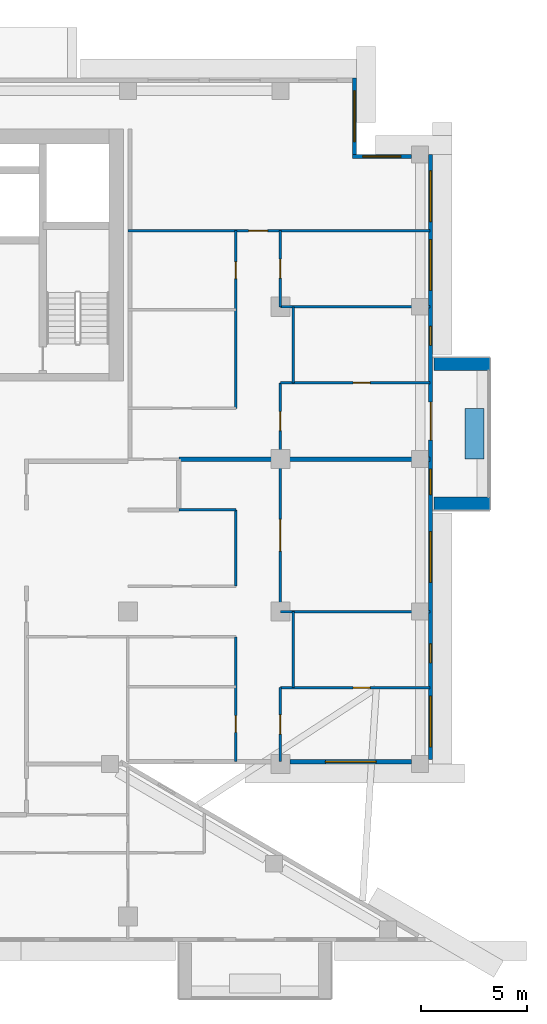
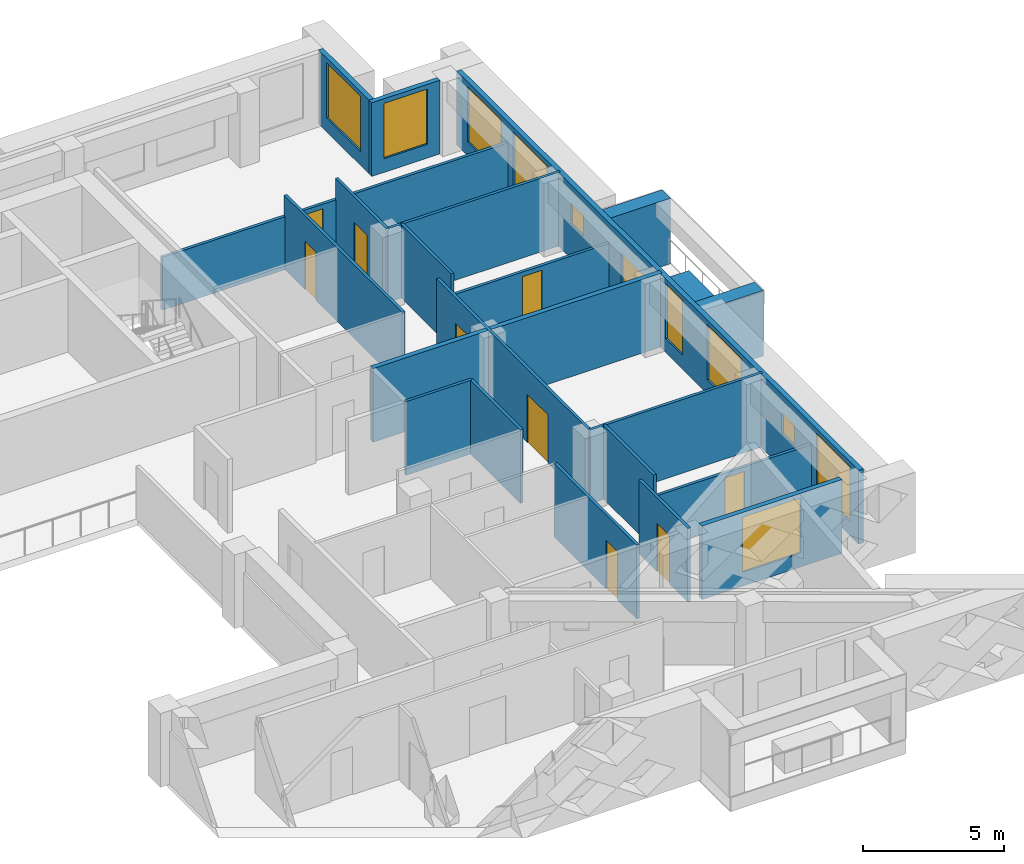
# One storey, part 12 of 20: 22 walls, 10 doors, 10 windows, 20 openings.
"""IFC4 building model written with IfcOpenShell, lengths in metres."""

import ifcopenshell
import ifcopenshell.guid

model = None  # the IFC model being written
_history = None  # IfcOwnerHistory: only IFC2X3 demands one
_inside = {}  # id of a spatial element -> (the spatial element, [elements in it])
_under = {}  # id of a project, library or spatial element -> (it, [spatial elements below it])
_declared = {}  # id of a project -> (the project, [libraries it declares])
_typed = {}  # id of a type object -> (the type object, [elements of that type])
_made_of = {}  # id of a material, layer set ... -> (it, [elements and type objects made of it])


def new_model(schema):
    """Start an empty IFC model of exactly this schema.

    Asked for "IFC4X3", IfcOpenShell would pick the latest addendum, in which some entities
    have other attributes; the version numbers below select the first issue.
    IFC2X3 requires an IfcOwnerHistory on every rooted entity: one is made here for all.
    """
    global model, _history
    if schema == "IFC4X3":
        model = ifcopenshell.file(schema_version=(4, 3, 0, 0))
    else:
        model = ifcopenshell.file(schema=schema)
    _inside.clear()
    _under.clear()
    _declared.clear()
    _typed.clear()
    _made_of.clear()
    _history = None
    if model.schema == "IFC2X3":
        org = make("IfcOrganization", Name="unknown")
        user = make(
            "IfcPersonAndOrganization",
            ThePerson=make("IfcPerson", FamilyName="unknown"),
            TheOrganization=org,
        )
        app = make(
            "IfcApplication",
            ApplicationDeveloper=org,
            Version="unknown",
            ApplicationFullName="unknown",
            ApplicationIdentifier="unknown",
        )
        _history = make(
            "IfcOwnerHistory",
            OwningUser=user,
            OwningApplication=app,
            ChangeAction="ADDED",
            CreationDate=0,
        )
    return model


def make(cls, **values):
    """One entity of the class cls with the attributes given. An attribute that is None is left unset."""
    return model.create_entity(
        cls, **{name: value for name, value in values.items() if value is not None}
    )


def rooted(cls, **values):
    """An entity with a GlobalId (a new one), such as an element, a storey or a relation."""
    return make(cls, GlobalId=ifcopenshell.guid.new(), OwnerHistory=_history, **values)


def si_unit(unit_type, name, prefix=None):
    """IfcSIUnit, for example si_unit("LENGTHUNIT", "METRE", prefix="MILLI")."""
    return make("IfcSIUnit", UnitType=unit_type, Prefix=prefix, Name=name)


def assignment(units):
    """IfcUnitAssignment: the units of a project."""
    return None if units is None else make("IfcUnitAssignment", Units=units)


def point(xyz):
    """IfcCartesianPoint."""
    return None if xyz is None else make("IfcCartesianPoint", Coordinates=xyz)


def direction(xyz):
    """IfcDirection."""
    return None if xyz is None else make("IfcDirection", DirectionRatios=xyz)


def frame(location, z_axis=None, x_axis=None):
    """IfcAxis2Placement3D, a coordinate frame: its origin and axes. An axis left out is left unset."""
    return make(
        "IfcAxis2Placement3D",
        Location=point(location),
        Axis=direction(z_axis),
        RefDirection=direction(x_axis),
    )


def frame_2d(location, x_axis=None):
    """IfcAxis2Placement2D, a coordinate frame in the plane: its origin and x axis."""
    return make(
        "IfcAxis2Placement2D", Location=point(location), RefDirection=direction(x_axis)
    )


def origin():
    """The frame at (0, 0, 0) with its axes left unset."""
    return frame((0.0, 0.0, 0.0))


def place(relative_to, where):
    """IfcLocalPlacement: puts the frame where relative to a parent placement (None: the world)."""
    return make(
        "IfcLocalPlacement", PlacementRelTo=relative_to, RelativePlacement=where
    )


def context(
    kind, dimensions, precision=None, world=None, true_north=None, identifier=None
):
    """IfcGeometricRepresentationContext, for example the 3D "Model" context."""
    return make(
        "IfcGeometricRepresentationContext",
        ContextIdentifier=identifier,
        ContextType=kind,
        CoordinateSpaceDimension=dimensions,
        Precision=precision,
        WorldCoordinateSystem=world,
        TrueNorth=true_north,
    )


def subcontext(parent, identifier, kind, view, scale=None):
    """IfcGeometricRepresentationSubContext, for example "Body" below "Model"."""
    return make(
        "IfcGeometricRepresentationSubContext",
        ContextIdentifier=identifier,
        ContextType=kind,
        ParentContext=parent,
        TargetScale=scale,
        TargetView=view,
    )


def project(units=None, contexts=None):
    """IfcProject with its units and contexts."""
    return rooted(
        "IfcProject",
        Name="project",
        RepresentationContexts=contexts,
        UnitsInContext=assignment(units),
    )


def spatial(cls, under=None, at=None, **own):
    """A site, building, storey or space (cls), placed at a placement, below another one or the project."""
    s = rooted(cls, ObjectPlacement=at, **own)
    if under is not None:
        _under.setdefault(under.id(), (under, []))[1].append(s)
    return s


def profile(cls, at=None, kind="AREA", **sizes):
    """A parametric profile (cls). Its sizes go by their IFC names, for example OverallWidth=200.0."""
    return make(cls, ProfileType=kind, Position=at, **sizes)


def rectangle(**sizes):
    """IfcRectangleProfileDef."""
    return profile("IfcRectangleProfileDef", **sizes)


def extrude(swept, where, along, depth):
    """IfcExtrudedAreaSolid: the profile swept, set in the frame where, extruded along a direction by depth."""
    return make(
        "IfcExtrudedAreaSolid",
        SweptArea=swept,
        Position=where,
        ExtrudedDirection=direction(along),
        Depth=depth,
    )


def shape(context_of_items, identifier, shape_type, items):
    """IfcShapeRepresentation: the items that make up one representation, for example the "Body"."""
    return make(
        "IfcShapeRepresentation",
        ContextOfItems=context_of_items,
        RepresentationIdentifier=identifier,
        RepresentationType=shape_type,
        Items=items,
    )


def material(Name=None, Category=None):
    """IfcMaterial."""
    return make("IfcMaterial", Name=Name, Category=Category)


def layer(
    of_material, thickness, ventilated=None, Name=None, Category=None, Priority=None
):
    """IfcMaterialLayer: one layer of a wall or slab, of a material (None: an air gap)."""
    return make(
        "IfcMaterialLayer",
        Material=of_material,
        LayerThickness=thickness,
        IsVentilated=ventilated,
        Name=Name,
        Category=Category,
        Priority=Priority,
    )


def layer_set(layers, Name=None):
    """IfcMaterialLayerSet."""
    return make("IfcMaterialLayerSet", MaterialLayers=layers, LayerSetName=Name)


def made_of(thing, what):
    """Note that an element or type object is made of a material, layer set ...; save() writes the relation."""
    if what is not None:
        _made_of.setdefault(what.id(), (what, []))[1].append(thing)
    return thing


def type_object(cls, material=None, **own):
    """A type object (cls), such as IfcWallType, which elements share."""
    return made_of(rooted(cls, **own), material)


def element(
    cls,
    number,
    at=None,
    inside=None,
    cuts=None,
    type_object=None,
    material=None,
    context=None,
    identifier="Body",
    shape_type=None,
    held_by="IfcProductDefinitionShape",
    body=None,
    shapes=None,
    **own,
):
    """One element of the class cls, such as IfcWall. Its Tag is "e" and its number.

    at: its placement. inside: the storey or other place that contains it. cuts: it is an
    opening in that element (IfcRelVoidsElement). A single representation is given by context,
    identifier, shape_type and body (its items); several are given by shapes. held_by: the class
    of the entity that holds the representations. save() writes the other relations.
    """
    e = rooted(cls, Tag="e%d" % number, ObjectPlacement=at, **own)
    if body is not None:
        shapes = [shape(context, identifier, shape_type, body)]
    if shapes is not None:
        e.Representation = make(held_by, Representations=shapes)
    if inside is not None:
        _inside.setdefault(inside.id(), (inside, []))[1].append(e)
    if cuts is not None:
        rooted(
            "IfcRelVoidsElement", RelatingBuildingElement=cuts, RelatedOpeningElement=e
        )
    if type_object is not None:
        _typed.setdefault(type_object.id(), (type_object, []))[1].append(e)
    return made_of(e, material)


def fill(opening, filler):
    """IfcRelFillsElement: the door or window that sits in an opening."""
    return rooted(
        "IfcRelFillsElement",
        RelatingOpeningElement=opening,
        RelatedBuildingElement=filler,
    )


def aggregate(whole, parts):
    """IfcRelAggregates: a whole, such as a stair, and the parts it consists of."""
    return rooted("IfcRelAggregates", RelatingObject=whole, RelatedObjects=parts)


def save(model, path):
    """Write the relations noted so far, then the file.

    IfcRelAggregates (storeys below a building ...), IfcRelContainedInSpatialStructure (elements
    in a storey), IfcRelDefinesByType, IfcRelAssociatesMaterial and IfcRelDeclares: one each for
    every whole, place, type object, material and project.
    """
    for whole, parts in _under.values():
        aggregate(whole, parts)
    for where, things in _inside.values():
        rooted(
            "IfcRelContainedInSpatialStructure",
            RelatedElements=things,
            RelatingStructure=where,
        )
    for kind, things in _typed.values():
        rooted("IfcRelDefinesByType", RelatedObjects=things, RelatingType=kind)
    for what, things in _made_of.values():
        rooted("IfcRelAssociatesMaterial", RelatedObjects=things, RelatingMaterial=what)
    for by, libraries in _declared.values():
        rooted("IfcRelDeclares", RelatingContext=by, RelatedDefinitions=libraries)
    model.write(path)


model = new_model("IFC4")

# Units and contexts
model_context = context("Model", 3, precision=1e-05, world=origin(), true_north=direction((0.0, 1.0)))
body_context = subcontext(model_context, "Body", "Model", "MODEL_VIEW")
ifc_project = project(units=[si_unit("LENGTHUNIT", "METRE"), si_unit("AREAUNIT", "SQUARE_METRE"), si_unit("VOLUMEUNIT", "CUBIC_METRE"), si_unit("PLANEANGLEUNIT", "RADIAN"), si_unit("MASSUNIT", "GRAM", prefix="KILO")], contexts=[model_context])

# Site, building, storey
site_placement = place(None, origin())
site = spatial("IfcSite", under=ifc_project, at=site_placement, CompositionType="ELEMENT")
building_placement = place(site_placement, origin())
building = spatial("IfcBuilding", under=site, at=building_placement, Name="Saffron Iwan Residences", CompositionType="ELEMENT")
storey_placement = place(building_placement, frame((0.0, 0.0, 195.5)))
storey = spatial("IfcBuildingStorey", under=building, at=storey_placement, Name="L52", CompositionType="ELEMENT", Elevation=195.5)

# Walls
ifc_material_1 = material(Name="Concrete C50/60 white painted", Category="concrete")
ifc_layer_1 = layer(ifc_material_1, 0.60009765625)
ifc_layer_set_1 = layer_set([ifc_layer_1], Name="Concrete C50/60 white painted")
wall_type_1 = type_object("IfcWallType", Name="BALCONY FIN 600", PredefinedType="SOLIDWALL", material=ifc_layer_set_1)
for number, where, z_axis, x_axis, name in (
    (1, (86.449951171875, 60.300048828125, 0.0), (0.0, 0.0, 1.0), (1.0, 0.0, 0.0), "Balcony fin L52 F2-0a"),
    (2, (86.449951171875, 66.89990234375, 0.0), (0.0, 0.0, 1.0), (1.0, 0.0, 0.0), "Balcony fin L52 F2-0b"),
):
    element("IfcWall", number, at=place(storey_placement, frame(where, z_axis=z_axis, x_axis=x_axis)), inside=storey, type_object=wall_type_1, Name=name, PredefinedType="SOLIDWALL", context=body_context, shape_type="SweptSolid", body=[
        extrude(rectangle(XDim=2.650146484375, YDim=0.60009765625, at=frame_2d((1.3251953125, 0.0))), origin(), (0.0, 0.0, 1.0), 2.85009765625),
    ])
ifc_material_2 = material(Name="Concrete C35/45 white painted", Category="concrete")
ifc_layer_2 = layer(ifc_material_2, 0.14990234375)
ifc_layer_set_2 = layer_set([ifc_layer_2], Name="Concrete C35/45 white painted")
wall_type_2 = type_object("IfcWallType", Name="BALCONY PLANTER", PredefinedType="SOLIDWALL", material=ifc_layer_set_2)
wall_1_placement = place(storey_placement, frame((88.375, 62.39990234375, 0.0), z_axis=(0.0, 0.0, 1.0), x_axis=(0.0, 1.0, 0.0)))
element("IfcWall", 3, at=wall_1_placement, inside=storey, type_object=wall_type_2, Name="PLANTER L52 F2-0", PredefinedType="SOLIDWALL", context=body_context, shape_type="SweptSolid", body=[
    extrude(rectangle(XDim=2.400146484375, YDim=0.89990234375, at=frame_2d((1.2001953125, 0.0))), origin(), (0.0, 0.0, 1.0), 0.89990234375),
])

# Wall, opening, window
ifc_material_3 = material(Name="Concrete C40/50", Category="concrete")
ifc_layer_3 = layer(ifc_material_3, 0.199951171875)
ifc_layer_set_3 = layer_set([ifc_layer_3], Name="Concrete C40/50")
wall_type_3 = type_object("IfcWallType", Name="EXTERNAL WALL 200", PredefinedType="SOLIDWALL", material=ifc_layer_set_3)
wall_2_placement = place(storey_placement, frame((79.64990234375, 48.10009765625, 0.0), z_axis=(0.0, 0.0, 1.0), x_axis=(1.0, 0.0, 0.0)))
wall_2 = element("IfcWall", 4, at=wall_2_placement, inside=storey, type_object=wall_type_3, Name="External wall L52 F1.1", PredefinedType="SOLIDWALL", context=body_context, shape_type="SweptSolid", body=[
    extrude(rectangle(XDim=5.75, YDim=0.199951171875, at=frame_2d((2.875, 0.0))), origin(), (0.0, 0.0, 1.0), 3.199951171875),
])
opening_1_placement = place(wall_2_placement, frame((1.675048828125, 0.0, 0.60009765625)))
opening_1 = element("IfcOpeningElement", 5, at=opening_1_placement, cuts=wall_2, Name="Opening W1", PredefinedType="OPENING", context=body_context, shape_type="SweptSolid", body=[
    extrude(rectangle(XDim=2.39990234375, YDim=2.39990234375, at=frame_2d((1.199951171875, 1.199951171875))), frame((0.0, 0.10986328125, 0.0), z_axis=(0.0, -1.0, 0.0), x_axis=(1.0, 0.0, 0.0)), (0.0, 0.0, 1.0), 0.219970703125),
])
ifc_material_4 = material(Name="Clear glass, laminated double glazed", Category="glass")
window_type_1 = type_object("IfcWindowType", Name="WINDOW 2400 x 2400", PartitioningType="DOUBLE_PANEL_VERTICAL", PredefinedType="WINDOW", material=ifc_material_4)
window_1_placement = place(opening_1_placement, origin())
window_1 = element("IfcWindow", 6, at=window_1_placement, inside=storey, type_object=window_type_1, Name="Window L52 F1.0", OverallHeight=2.39990234375, OverallWidth=2.39990234375, PartitioningType="DOUBLE_PANEL_VERTICAL", PredefinedType="WINDOW", context=body_context, shape_type="SweptSolid", body=[
    extrude(rectangle(XDim=2.39990234375, YDim=2.39990234375, at=frame_2d((1.199951171875, 1.199951171875))), frame((0.0, 0.030029296875, 0.0), z_axis=(0.0, -1.0, 0.0), x_axis=(1.0, 0.0, 0.0)), (0.0, 0.0, 1.0), 0.06005859375),
])
fill(opening_1, window_1)

# Wall, openings, door, windows
wall_3_placement = place(storey_placement, frame((86.300048828125, 48.199951171875, 0.0), z_axis=(0.0, 0.0, 1.0), x_axis=(0.0, 1.0, 0.0)))
wall_3 = element("IfcWall", 7, at=wall_3_placement, inside=storey, type_object=wall_type_3, Name="External wall L52 F2.0", PredefinedType="SOLIDWALL", context=body_context, shape_type="SweptSolid", body=[
    extrude(rectangle(XDim=28.60009765625, YDim=0.199951171875, at=frame_2d((14.300048828125, 0.0))), origin(), (0.0, 0.0, 1.0), 3.199951171875),
])
opening_2_placement = place(wall_3_placement, frame((15.10009765625, 0.0, 0.0)))
opening_2 = element("IfcOpeningElement", 8, at=opening_2_placement, cuts=wall_3, Name="Opening BD1", PredefinedType="OPENING", context=body_context, shape_type="SweptSolid", body=[
    extrude(rectangle(XDim=1.800048828125, YDim=2.39990234375, at=frame_2d((0.89990234375, 1.199951171875))), frame((0.0, 0.10986328125, 0.0), z_axis=(0.0, -1.0, 0.0), x_axis=(1.0, 0.0, 0.0)), (0.0, 0.0, 1.0), 0.219970703125),
])
opening_3_placement = place(wall_3_placement, frame((0.60009765625, 0.0, 0.60009765625)))
opening_3 = element("IfcOpeningElement", 9, at=opening_3_placement, cuts=wall_3, Name="Opening W1", PredefinedType="OPENING", context=body_context, shape_type="SweptSolid", body=[
    extrude(rectangle(XDim=2.39990234375, YDim=2.39990234375, at=frame_2d((1.199951171875, 1.199951171875))), frame((0.0, 0.10986328125, 0.0), z_axis=(0.0, -1.0, 0.0), x_axis=(1.0, 0.0, 0.0)), (0.0, 0.0, 1.0), 0.219970703125),
])
opening_4_placement = place(wall_3_placement, frame((4.574951171875, 0.0, 1.5)))
opening_4 = element("IfcOpeningElement", 10, at=opening_4_placement, cuts=wall_3, Name="Opening W6", PredefinedType="OPENING", context=body_context, shape_type="SweptSolid", body=[
    extrude(rectangle(XDim=0.89990234375, YDim=0.89990234375, at=frame_2d((0.449951171875, 0.449951171875))), frame((0.0, 0.10986328125, 0.0), z_axis=(0.0, -1.0, 0.0), x_axis=(1.0, 0.0, 0.0)), (0.0, 0.0, 1.0), 0.219970703125),
])
opening_5_placement = place(wall_3_placement, frame((8.375, 0.0, 0.60009765625)))
opening_5 = element("IfcOpeningElement", 11, at=opening_5_placement, cuts=wall_3, Name="Opening W1", PredefinedType="OPENING", context=body_context, shape_type="SweptSolid", body=[
    extrude(rectangle(XDim=2.39990234375, YDim=2.39990234375, at=frame_2d((1.199951171875, 1.199951171875))), frame((0.0, 0.10986328125, 0.0), z_axis=(0.0, -1.0, 0.0), x_axis=(1.0, 0.0, 0.0)), (0.0, 0.0, 1.0), 0.219970703125),
])
opening_6_placement = place(wall_3_placement, frame((12.52490234375, 0.0, 0.60009765625)))
opening_6 = element("IfcOpeningElement", 12, at=opening_6_placement, cuts=wall_3, Name="Opening W3", PredefinedType="OPENING", context=body_context, shape_type="SweptSolid", body=[
    extrude(rectangle(XDim=1.199951171875, YDim=2.39990234375, at=frame_2d((0.60009765625, 1.199951171875))), frame((0.0, 0.10986328125, 0.0), z_axis=(0.0, -1.0, 0.0), x_axis=(1.0, 0.0, 0.0)), (0.0, 0.0, 1.0), 0.219970703125),
])
opening_7_placement = place(wall_3_placement, frame((19.574951171875, 0.0, 1.5)))
opening_7 = element("IfcOpeningElement", 13, at=opening_7_placement, cuts=wall_3, Name="Opening W6", PredefinedType="OPENING", context=body_context, shape_type="SweptSolid", body=[
    extrude(rectangle(XDim=0.89990234375, YDim=0.89990234375, at=frame_2d((0.449951171875, 0.449951171875))), frame((0.0, 0.10986328125, 0.0), z_axis=(0.0, -1.0, 0.0), x_axis=(1.0, 0.0, 0.0)), (0.0, 0.0, 1.0), 0.219970703125),
])
opening_8_placement = place(wall_3_placement, frame((22.175048828125, 0.0, 0.60009765625)))
opening_8 = element("IfcOpeningElement", 14, at=opening_8_placement, cuts=wall_3, Name="Opening W1", PredefinedType="OPENING", context=body_context, shape_type="SweptSolid", body=[
    extrude(rectangle(XDim=2.39990234375, YDim=2.39990234375, at=frame_2d((1.199951171875, 1.199951171875))), frame((0.0, 0.10986328125, 0.0), z_axis=(0.0, -1.0, 0.0), x_axis=(1.0, 0.0, 0.0)), (0.0, 0.0, 1.0), 0.219970703125),
])
opening_9_placement = place(wall_3_placement, frame((25.425048828125, 0.0, 0.60009765625)))
opening_9 = element("IfcOpeningElement", 15, at=opening_9_placement, cuts=wall_3, Name="Opening W1", PredefinedType="OPENING", context=body_context, shape_type="SweptSolid", body=[
    extrude(rectangle(XDim=2.39990234375, YDim=2.39990234375, at=frame_2d((1.199951171875, 1.199951171875))), frame((0.0, 0.10986328125, 0.0), z_axis=(0.0, -1.0, 0.0), x_axis=(1.0, 0.0, 0.0)), (0.0, 0.0, 1.0), 0.219970703125),
])
door_type_1 = type_object("IfcDoorType", Name="BALCONY DOOR 1800 x 2400", OperationType="DOUBLE_DOOR_SLIDING", PredefinedType="DOOR", material=ifc_material_4)
door_1_placement = place(opening_2_placement, origin())
door_1 = element("IfcDoor", 16, at=door_1_placement, inside=storey, type_object=door_type_1, Name="Balcony door L52 F2.0", OperationType="DOUBLE_DOOR_SLIDING", OverallHeight=2.39990234375, OverallWidth=1.800048828125, PredefinedType="DOOR", context=body_context, shape_type="SweptSolid", body=[
    extrude(rectangle(XDim=1.800048828125, YDim=2.39990234375, at=frame_2d((0.89990234375, 1.199951171875))), frame((0.0, 0.02490234375, 0.0), z_axis=(0.0, -1.0, 0.0), x_axis=(1.0, 0.0, 0.0)), (0.0, 0.0, 1.0), 0.050048828125),
])
fill(opening_2, door_1)
window_type_2 = type_object("IfcWindowType", Name="WINDOW 1200 x 2400", PartitioningType="SINGLE_PANEL", PredefinedType="WINDOW", material=ifc_material_4)
window_2_placement = place(opening_6_placement, origin())
window_2 = element("IfcWindow", 17, at=window_2_placement, inside=storey, type_object=window_type_2, Name="Window L52 F2.4", OverallHeight=2.39990234375, OverallWidth=1.199951171875, PartitioningType="SINGLE_PANEL", PredefinedType="WINDOW", context=body_context, shape_type="SweptSolid", body=[
    extrude(rectangle(XDim=1.199951171875, YDim=2.39990234375, at=frame_2d((0.60009765625, 1.199951171875))), frame((0.0, 0.030029296875, 0.0), z_axis=(0.0, -1.0, 0.0), x_axis=(1.0, 0.0, 0.0)), (0.0, 0.0, 1.0), 0.06005859375),
])
fill(opening_6, window_2)
window_3_placement = place(opening_3_placement, origin())
window_3 = element("IfcWindow", 18, at=window_3_placement, inside=storey, type_object=window_type_1, Name="Window L52 F2.1", OverallHeight=2.39990234375, OverallWidth=2.39990234375, PartitioningType="DOUBLE_PANEL_VERTICAL", PredefinedType="WINDOW", context=body_context, shape_type="SweptSolid", body=[
    extrude(rectangle(XDim=2.39990234375, YDim=2.39990234375, at=frame_2d((1.199951171875, 1.199951171875))), frame((0.0, 0.030029296875, 0.0), z_axis=(0.0, -1.0, 0.0), x_axis=(1.0, 0.0, 0.0)), (0.0, 0.0, 1.0), 0.06005859375),
])
fill(opening_3, window_3)
window_4_placement = place(opening_5_placement, origin())
window_4 = element("IfcWindow", 19, at=window_4_placement, inside=storey, type_object=window_type_1, Name="Window L52 F2.3", OverallHeight=2.39990234375, OverallWidth=2.39990234375, PartitioningType="DOUBLE_PANEL_VERTICAL", PredefinedType="WINDOW", context=body_context, shape_type="SweptSolid", body=[
    extrude(rectangle(XDim=2.39990234375, YDim=2.39990234375, at=frame_2d((1.199951171875, 1.199951171875))), frame((0.0, 0.030029296875, 0.0), z_axis=(0.0, -1.0, 0.0), x_axis=(1.0, 0.0, 0.0)), (0.0, 0.0, 1.0), 0.06005859375),
])
fill(opening_5, window_4)
window_5_placement = place(opening_8_placement, origin())
window_5 = element("IfcWindow", 20, at=window_5_placement, inside=storey, type_object=window_type_1, Name="Window L52 F2.6", OverallHeight=2.39990234375, OverallWidth=2.39990234375, PartitioningType="DOUBLE_PANEL_VERTICAL", PredefinedType="WINDOW", context=body_context, shape_type="SweptSolid", body=[
    extrude(rectangle(XDim=2.39990234375, YDim=2.39990234375, at=frame_2d((1.199951171875, 1.199951171875))), frame((0.0, 0.030029296875, 0.0), z_axis=(0.0, -1.0, 0.0), x_axis=(1.0, 0.0, 0.0)), (0.0, 0.0, 1.0), 0.06005859375),
])
fill(opening_8, window_5)
window_6_placement = place(opening_9_placement, origin())
window_6 = element("IfcWindow", 21, at=window_6_placement, inside=storey, type_object=window_type_1, Name="Window L52 F2.7", OverallHeight=2.39990234375, OverallWidth=2.39990234375, PartitioningType="DOUBLE_PANEL_VERTICAL", PredefinedType="WINDOW", context=body_context, shape_type="SweptSolid", body=[
    extrude(rectangle(XDim=2.39990234375, YDim=2.39990234375, at=frame_2d((1.199951171875, 1.199951171875))), frame((0.0, 0.030029296875, 0.0), z_axis=(0.0, -1.0, 0.0), x_axis=(1.0, 0.0, 0.0)), (0.0, 0.0, 1.0), 0.06005859375),
])
fill(opening_9, window_6)
window_type_3 = type_object("IfcWindowType", Name="WINDOW 900 x 900 BATH", PartitioningType="SINGLE_PANEL", PredefinedType="WINDOW", material=ifc_material_4)
window_7_placement = place(opening_4_placement, origin())
window_7 = element("IfcWindow", 22, at=window_7_placement, inside=storey, type_object=window_type_3, Name="Window L52 F2.2", OverallHeight=0.89990234375, OverallWidth=0.89990234375, PartitioningType="SINGLE_PANEL", PredefinedType="WINDOW", context=body_context, shape_type="SweptSolid", body=[
    extrude(rectangle(XDim=0.89990234375, YDim=0.89990234375, at=frame_2d((0.449951171875, 0.449951171875))), frame((0.0, 0.030029296875, 0.0), z_axis=(0.0, -1.0, 0.0), x_axis=(1.0, 0.0, 0.0)), (0.0, 0.0, 1.0), 0.06005859375),
])
fill(opening_4, window_7)
window_8_placement = place(opening_7_placement, origin())
window_8 = element("IfcWindow", 23, at=window_8_placement, inside=storey, type_object=window_type_3, Name="Window L52 F2.5", OverallHeight=0.89990234375, OverallWidth=0.89990234375, PartitioningType="SINGLE_PANEL", PredefinedType="WINDOW", context=body_context, shape_type="SweptSolid", body=[
    extrude(rectangle(XDim=0.89990234375, YDim=0.89990234375, at=frame_2d((0.449951171875, 0.449951171875))), frame((0.0, 0.030029296875, 0.0), z_axis=(0.0, -1.0, 0.0), x_axis=(1.0, 0.0, 0.0)), (0.0, 0.0, 1.0), 0.06005859375),
])
fill(opening_7, window_8)

# Wall, opening, window
wall_4_placement = place(storey_placement, frame((85.39990234375, 76.699951171875, 0.0), z_axis=(0.0, 0.0, 1.0), x_axis=(-1.0, 0.0, 0.0)))
wall_4 = element("IfcWall", 24, at=wall_4_placement, inside=storey, type_object=wall_type_3, Name="External wall L52 F3.0", PredefinedType="SOLIDWALL", context=body_context, shape_type="SweptSolid", body=[
    extrude(rectangle(XDim=2.7998046875, YDim=0.199951171875, at=frame_2d((1.39990234375, 0.0))), origin(), (0.0, 0.0, 1.0), 3.199951171875),
])
opening_10_placement = place(wall_4_placement, frame((0.5, 0.0, 0.60009765625)))
opening_10 = element("IfcOpeningElement", 25, at=opening_10_placement, cuts=wall_4, Name="Opening W8", PredefinedType="OPENING", context=body_context, shape_type="SweptSolid", body=[
    extrude(rectangle(XDim=1.800048828125, YDim=2.39990234375, at=frame_2d((0.89990234375, 1.199951171875))), frame((0.0, 0.10986328125, 0.0), z_axis=(0.0, -1.0, 0.0), x_axis=(1.0, 0.0, 0.0)), (0.0, 0.0, 1.0), 0.219970703125),
])
window_type_4 = type_object("IfcWindowType", Name="WINDOW 1800 x 2400", PartitioningType="DOUBLE_PANEL_VERTICAL", PredefinedType="WINDOW", material=ifc_material_4)
window_9_placement = place(opening_10_placement, origin())
window_9 = element("IfcWindow", 26, at=window_9_placement, inside=storey, type_object=window_type_4, Name="Window L52 F3.0", OverallHeight=2.39990234375, OverallWidth=1.800048828125, PartitioningType="DOUBLE_PANEL_VERTICAL", PredefinedType="WINDOW", context=body_context, shape_type="SweptSolid", body=[
    extrude(rectangle(XDim=1.800048828125, YDim=2.39990234375, at=frame_2d((0.89990234375, 1.199951171875))), frame((0.0, 0.030029296875, 0.0), z_axis=(0.0, -1.0, 0.0), x_axis=(1.0, 0.0, 0.0)), (0.0, 0.0, 1.0), 0.06005859375),
])
fill(opening_10, window_9)

wall_5_placement = place(storey_placement, frame((82.699951171875, 76.800048828125, 0.0), z_axis=(0.0, 0.0, 1.0), x_axis=(0.0, 1.0, 0.0)))
wall_5 = element("IfcWall", 27, at=wall_5_placement, inside=storey, type_object=wall_type_3, Name="External wall L52 F4.0", PredefinedType="SOLIDWALL", context=body_context, shape_type="SweptSolid", body=[
    extrude(rectangle(XDim=3.599853515625, YDim=0.199951171875, at=frame_2d((1.7998046875, 0.0))), origin(), (0.0, 0.0, 1.0), 3.199951171875),
])
opening_11_placement = place(wall_5_placement, frame((0.60009765625, 0.0, 0.60009765625)))
opening_11 = element("IfcOpeningElement", 28, at=opening_11_placement, cuts=wall_5, Name="Opening W1", PredefinedType="OPENING", context=body_context, shape_type="SweptSolid", body=[
    extrude(rectangle(XDim=2.39990234375, YDim=2.39990234375, at=frame_2d((1.199951171875, 1.199951171875))), frame((0.0, 0.10986328125, 0.0), z_axis=(0.0, -1.0, 0.0), x_axis=(1.0, 0.0, 0.0)), (0.0, 0.0, 1.0), 0.219970703125),
])
window_10_placement = place(opening_11_placement, origin())
window_10 = element("IfcWindow", 29, at=window_10_placement, inside=storey, type_object=window_type_1, Name="Window L52 F4.0", OverallHeight=2.39990234375, OverallWidth=2.39990234375, PartitioningType="DOUBLE_PANEL_VERTICAL", PredefinedType="WINDOW", context=body_context, shape_type="SweptSolid", body=[
    extrude(rectangle(XDim=2.39990234375, YDim=2.39990234375, at=frame_2d((1.199951171875, 1.199951171875))), frame((0.0, 0.030029296875, 0.0), z_axis=(0.0, -1.0, 0.0), x_axis=(1.0, 0.0, 0.0)), (0.0, 0.0, 1.0), 0.06005859375),
])
fill(opening_11, window_10)

# Wall
ifc_material_5 = material(Name="Fire-rated gypsum board wall")
ifc_layer_4 = layer(ifc_material_5, 0.199951171875)
ifc_layer_set_4 = layer_set([ifc_layer_4], Name="Fire-rated gypsum board wall")
wall_type_4 = type_object("IfcWallType", Name="Flat demising wall 200", PredefinedType="SOLIDWALL", material=ifc_layer_set_4)
wall_6_placement = place(storey_placement, frame((74.39990234375, 62.39990234375, 0.0), z_axis=(0.0, 0.0, 1.0), x_axis=(1.0, 0.0, 0.0)))
element("IfcWall", 30, at=wall_6_placement, inside=storey, type_object=wall_type_4, Name="W-L52-DEMISE-h62.4-74.4", PredefinedType="SOLIDWALL", context=body_context, shape_type="SweptSolid", body=[
    extrude(rectangle(XDim=11.875, YDim=0.199951171875, at=frame_2d((5.9375, 0.0))), origin(), (0.0, 0.0, 1.0), 3.199951171875),
])

# Wall, opening, door
ifc_material_6 = material(Name="Gypsum board partition")
ifc_layer_5 = layer(ifc_material_6, 0.1201171875)
ifc_layer_set_5 = layer_set([ifc_layer_5], Name="Gypsum board partition")
wall_type_5 = type_object("IfcWallType", Name="Flat partition 120", PredefinedType="PARTITIONING", material=ifc_layer_set_5)
wall_7_placement = place(storey_placement, frame((79.199951171875, 51.60009765625, 0.0), z_axis=(0.0, 0.0, 1.0), x_axis=(1.0, 0.0, 0.0)))
wall_7 = element("IfcWall", 31, at=wall_7_placement, inside=storey, type_object=wall_type_5, Name="W-L52-PART-h51.6-79.2", PredefinedType="PARTITIONING", context=body_context, shape_type="SweptSolid", body=[
    extrude(rectangle(XDim=7.074951171875, YDim=0.1201171875, at=frame_2d((3.53759765625, 0.0))), origin(), (0.0, 0.0, 1.0), 2.300048828125),
])
opening_12_placement = place(wall_7_placement, frame((3.4375, 0.0, 0.0)))
opening_12 = element("IfcOpeningElement", 32, at=opening_12_placement, cuts=wall_7, Name="Opening FD3", PredefinedType="OPENING", context=body_context, shape_type="SweptSolid", body=[
    extrude(rectangle(XDim=0.800048828125, YDim=2.10009765625, at=frame_2d((0.39990234375, 1.050048828125))), frame((0.0, 0.070068359375, 0.0), z_axis=(0.0, -1.0, 0.0), x_axis=(1.0, 0.0, 0.0)), (0.0, 0.0, 1.0), 0.14013671875),
])
ifc_material_7 = material(Name="Timber door", Category="wood")
door_type_2 = type_object("IfcDoorType", Name="Bathroom door 800", OperationType="NOTDEFINED", PredefinedType="DOOR", material=ifc_material_7)
door_2_placement = place(opening_12_placement, origin())
door_2 = element("IfcDoor", 33, at=door_2_placement, inside=storey, type_object=door_type_2, Name="Door L52-018", OperationType="SINGLE_SWING_RIGHT", OverallHeight=2.10009765625, OverallWidth=0.800048828125, PredefinedType="DOOR", context=body_context, shape_type="SweptSolid", body=[
    extrude(rectangle(XDim=0.800048828125, YDim=2.10009765625, at=frame_2d((0.39990234375, 1.050048828125))), frame((0.0, 0.02490234375, 0.0), z_axis=(0.0, -1.0, 0.0), x_axis=(1.0, 0.0, 0.0)), (0.0, 0.0, 1.0), 0.050048828125),
])
fill(opening_12, door_2)

# Walls
wall_8_placement = place(storey_placement, frame((79.199951171875, 55.199951171875, 0.0), z_axis=(0.0, 0.0, 1.0), x_axis=(1.0, 0.0, 0.0)))
element("IfcWall", 34, at=wall_8_placement, inside=storey, type_object=wall_type_5, Name="W-L52-PART-h55.2-79.2", PredefinedType="PARTITIONING", context=body_context, shape_type="SweptSolid", body=[
    extrude(rectangle(XDim=7.074951171875, YDim=0.1201171875, at=frame_2d((3.53759765625, 0.0))), origin(), (0.0, 0.0, 1.0), 3.199951171875),
])
wall_9_placement = place(storey_placement, frame((74.39990234375, 60.0, 0.0), z_axis=(0.0, 0.0, 1.0), x_axis=(1.0, 0.0, 0.0)))
element("IfcWall", 35, at=wall_9_placement, inside=storey, type_object=wall_type_5, Name="W-L52-PART-h60-74.4", PredefinedType="PARTITIONING", context=body_context, shape_type="SweptSolid", body=[
    extrude(rectangle(XDim=2.7001953125, YDim=0.1201171875, at=frame_2d((1.35009765625, 0.0))), origin(), (0.0, 0.0, 1.0), 3.199951171875),
])

# Wall, opening, door
wall_10_placement = place(storey_placement, frame((79.199951171875, 66.0, 0.0), z_axis=(0.0, 0.0, 1.0), x_axis=(1.0, 0.0, 0.0)))
wall_10 = element("IfcWall", 36, at=wall_10_placement, inside=storey, type_object=wall_type_5, Name="W-L52-PART-h66-79.2", PredefinedType="PARTITIONING", context=body_context, shape_type="SweptSolid", body=[
    extrude(rectangle(XDim=7.074951171875, YDim=0.1201171875, at=frame_2d((3.53759765625, 0.0))), origin(), (0.0, 0.0, 1.0), 2.300048828125),
])
opening_13_placement = place(wall_10_placement, frame((3.4375, 0.0, 0.0)))
opening_13 = element("IfcOpeningElement", 37, at=opening_13_placement, cuts=wall_10, Name="Opening FD3", PredefinedType="OPENING", context=body_context, shape_type="SweptSolid", body=[
    extrude(rectangle(XDim=0.800048828125, YDim=2.10009765625, at=frame_2d((0.39990234375, 1.050048828125))), frame((0.0, 0.070068359375, 0.0), z_axis=(0.0, -1.0, 0.0), x_axis=(1.0, 0.0, 0.0)), (0.0, 0.0, 1.0), 0.14013671875),
])
door_3_placement = place(opening_13_placement, origin())
door_3 = element("IfcDoor", 38, at=door_3_placement, inside=storey, type_object=door_type_2, Name="Door L52-035", OperationType="SINGLE_SWING_LEFT", OverallHeight=2.10009765625, OverallWidth=0.800048828125, PredefinedType="DOOR", context=body_context, shape_type="SweptSolid", body=[
    extrude(rectangle(XDim=0.800048828125, YDim=2.10009765625, at=frame_2d((0.39990234375, 1.050048828125))), frame((0.0, 0.02490234375, 0.0), z_axis=(0.0, -1.0, 0.0), x_axis=(1.0, 0.0, 0.0)), (0.0, 0.0, 1.0), 0.050048828125),
])
fill(opening_13, door_3)

# Wall
wall_11_placement = place(storey_placement, frame((79.199951171875, 69.60009765625, 0.0), z_axis=(0.0, 0.0, 1.0), x_axis=(1.0, 0.0, 0.0)))
element("IfcWall", 39, at=wall_11_placement, inside=storey, type_object=wall_type_5, Name="W-L52-PART-h69.6-79.2", PredefinedType="PARTITIONING", context=body_context, shape_type="SweptSolid", body=[
    extrude(rectangle(XDim=7.074951171875, YDim=0.1201171875, at=frame_2d((3.53759765625, 0.0))), origin(), (0.0, 0.0, 1.0), 3.199951171875),
])

# Wall, opening, door
wall_12_placement = place(storey_placement, frame((72.0, 73.199951171875, 0.0), z_axis=(0.0, 0.0, 1.0), x_axis=(1.0, 0.0, 0.0)))
wall_12 = element("IfcWall", 40, at=wall_12_placement, inside=storey, type_object=wall_type_5, Name="W-L52-PART-h73.2-72", PredefinedType="PARTITIONING", context=body_context, shape_type="SweptSolid", body=[
    extrude(rectangle(XDim=14.27490234375, YDim=0.1201171875, at=frame_2d((7.137451171875, 0.0))), origin(), (0.0, 0.0, 1.0), 2.300048828125),
])
opening_14_placement = place(wall_12_placement, frame((5.699951171875, 0.0, 0.0)))
opening_14 = element("IfcOpeningElement", 41, at=opening_14_placement, cuts=wall_12, Name="Opening FD2", PredefinedType="OPENING", context=body_context, shape_type="SweptSolid", body=[
    extrude(rectangle(XDim=0.89990234375, YDim=2.10009765625, at=frame_2d((0.449951171875, 1.050048828125))), frame((0.0, 0.070068359375, 0.0), z_axis=(0.0, -1.0, 0.0), x_axis=(1.0, 0.0, 0.0)), (0.0, 0.0, 1.0), 0.14013671875),
])
door_type_3 = type_object("IfcDoorType", Name="Flat door 900", OperationType="NOTDEFINED", PredefinedType="DOOR", material=ifc_material_7)
door_4_placement = place(opening_14_placement, origin())
door_4 = element("IfcDoor", 42, at=door_4_placement, inside=storey, type_object=door_type_3, Name="Door L52-037", OperationType="SINGLE_SWING_LEFT", OverallHeight=2.10009765625, OverallWidth=0.89990234375, PredefinedType="DOOR", context=body_context, shape_type="SweptSolid", body=[
    extrude(rectangle(XDim=0.89990234375, YDim=2.10009765625, at=frame_2d((0.449951171875, 1.050048828125))), frame((0.0, 0.02490234375, 0.0), z_axis=(0.0, -1.0, 0.0), x_axis=(1.0, 0.0, 0.0)), (0.0, 0.0, 1.0), 0.050048828125),
])
fill(opening_14, door_4)

wall_13_placement = place(storey_placement, frame((77.10009765625, 48.125, 0.0), z_axis=(0.0, 0.0, 1.0), x_axis=(0.0, 1.0, 0.0)))
wall_13 = element("IfcWall", 43, at=wall_13_placement, inside=storey, type_object=wall_type_5, Name="W-L52-PART-v77.1-48.125", PredefinedType="PARTITIONING", context=body_context, shape_type="SweptSolid", body=[
    extrude(rectangle(XDim=5.875, YDim=0.1201171875, at=frame_2d((2.9375, 0.0))), origin(), (0.0, 0.0, 1.0), 3.199951171875),
])
opening_15_placement = place(wall_13_placement, frame((1.362548828125, 0.0, 0.0)))
opening_15 = element("IfcOpeningElement", 44, at=opening_15_placement, cuts=wall_13, Name="Opening FD3", PredefinedType="OPENING", context=body_context, shape_type="SweptSolid", body=[
    extrude(rectangle(XDim=0.800048828125, YDim=2.10009765625, at=frame_2d((0.39990234375, 1.050048828125))), frame((0.0, 0.070068359375, 0.0), z_axis=(0.0, -1.0, 0.0), x_axis=(1.0, 0.0, 0.0)), (0.0, 0.0, 1.0), 0.14013671875),
])
door_5_placement = place(opening_15_placement, origin())
door_5 = element("IfcDoor", 45, at=door_5_placement, inside=storey, type_object=door_type_2, Name="Door L52-020", OperationType="SINGLE_SWING_LEFT", OverallHeight=2.10009765625, OverallWidth=0.800048828125, PredefinedType="DOOR", context=body_context, shape_type="SweptSolid", body=[
    extrude(rectangle(XDim=0.800048828125, YDim=2.10009765625, at=frame_2d((0.39990234375, 1.050048828125))), frame((0.0, 0.02490234375, 0.0), z_axis=(0.0, -1.0, 0.0), x_axis=(1.0, 0.0, 0.0)), (0.0, 0.0, 1.0), 0.050048828125),
])
fill(opening_15, door_5)

# Wall
wall_14_placement = place(storey_placement, frame((77.10009765625, 56.39990234375, 0.0), z_axis=(0.0, 0.0, 1.0), x_axis=(0.0, 1.0, 0.0)))
element("IfcWall", 46, at=wall_14_placement, inside=storey, type_object=wall_type_5, Name="W-L52-PART-v77.1-56.4", PredefinedType="PARTITIONING", context=body_context, shape_type="SweptSolid", body=[
    extrude(rectangle(XDim=3.60009765625, YDim=0.1201171875, at=frame_2d((1.800048828125, 0.0))), origin(), (0.0, 0.0, 1.0), 3.199951171875),
])

# Wall, opening, door
wall_15_placement = place(storey_placement, frame((77.10009765625, 64.800048828125, 0.0), z_axis=(0.0, 0.0, 1.0), x_axis=(0.0, 1.0, 0.0)))
wall_15 = element("IfcWall", 47, at=wall_15_placement, inside=storey, type_object=wall_type_5, Name="W-L52-PART-v77.1-64.8", PredefinedType="PARTITIONING", context=body_context, shape_type="SweptSolid", body=[
    extrude(rectangle(XDim=8.39990234375, YDim=0.1201171875, at=frame_2d((4.199951171875, 0.0))), origin(), (0.0, 0.0, 1.0), 3.199951171875),
])
opening_16_placement = place(wall_15_placement, frame((6.125, 0.0, 0.0)))
opening_16 = element("IfcOpeningElement", 48, at=opening_16_placement, cuts=wall_15, Name="Opening FD3", PredefinedType="OPENING", context=body_context, shape_type="SweptSolid", body=[
    extrude(rectangle(XDim=0.800048828125, YDim=2.10009765625, at=frame_2d((0.39990234375, 1.050048828125))), frame((0.0, 0.070068359375, 0.0), z_axis=(0.0, -1.0, 0.0), x_axis=(1.0, 0.0, 0.0)), (0.0, 0.0, 1.0), 0.14013671875),
])
door_6_placement = place(opening_16_placement, origin())
door_6 = element("IfcDoor", 49, at=door_6_placement, inside=storey, type_object=door_type_2, Name="Door L52-039", OperationType="SINGLE_SWING_RIGHT", OverallHeight=2.10009765625, OverallWidth=0.800048828125, PredefinedType="DOOR", context=body_context, shape_type="SweptSolid", body=[
    extrude(rectangle(XDim=0.800048828125, YDim=2.10009765625, at=frame_2d((0.39990234375, 1.050048828125))), frame((0.0, 0.02490234375, 0.0), z_axis=(0.0, -1.0, 0.0), x_axis=(1.0, 0.0, 0.0)), (0.0, 0.0, 1.0), 0.050048828125),
])
fill(opening_16, door_6)

wall_16_placement = place(storey_placement, frame((79.199951171875, 48.125, 0.0), z_axis=(0.0, 0.0, 1.0), x_axis=(0.0, 1.0, 0.0)))
wall_16 = element("IfcWall", 50, at=wall_16_placement, inside=storey, type_object=wall_type_5, Name="W-L52-PART-v79.2-48.125", PredefinedType="PARTITIONING", context=body_context, shape_type="SweptSolid", body=[
    extrude(rectangle(XDim=3.47509765625, YDim=0.1201171875, at=frame_2d((1.737548828125, 0.0))), origin(), (0.0, 0.0, 1.0), 3.199951171875),
])
opening_17_placement = place(wall_16_placement, frame((1.28759765625, 0.0, 0.0)))
opening_17 = element("IfcOpeningElement", 51, at=opening_17_placement, cuts=wall_16, Name="Opening FD2", PredefinedType="OPENING", context=body_context, shape_type="SweptSolid", body=[
    extrude(rectangle(XDim=0.89990234375, YDim=2.10009765625, at=frame_2d((0.449951171875, 1.050048828125))), frame((0.0, 0.070068359375, 0.0), z_axis=(0.0, -1.0, 0.0), x_axis=(1.0, 0.0, 0.0)), (0.0, 0.0, 1.0), 0.14013671875),
])
door_7_placement = place(opening_17_placement, origin())
door_7 = element("IfcDoor", 52, at=door_7_placement, inside=storey, type_object=door_type_3, Name="Door L52-017", OperationType="SINGLE_SWING_LEFT", OverallHeight=2.10009765625, OverallWidth=0.89990234375, PredefinedType="DOOR", context=body_context, shape_type="SweptSolid", body=[
    extrude(rectangle(XDim=0.89990234375, YDim=2.10009765625, at=frame_2d((0.449951171875, 1.050048828125))), frame((0.0, 0.02490234375, 0.0), z_axis=(0.0, -1.0, 0.0), x_axis=(1.0, 0.0, 0.0)), (0.0, 0.0, 1.0), 0.050048828125),
])
fill(opening_17, door_7)

# Wall, openings, doors
wall_17_placement = place(storey_placement, frame((79.199951171875, 55.199951171875, 0.0), z_axis=(0.0, 0.0, 1.0), x_axis=(0.0, 1.0, 0.0)))
wall_17 = element("IfcWall", 53, at=wall_17_placement, inside=storey, type_object=wall_type_5, Name="W-L52-PART-v79.2-55.2", PredefinedType="PARTITIONING", context=body_context, shape_type="SweptSolid", body=[
    extrude(rectangle(XDim=10.800048828125, YDim=0.1201171875, at=frame_2d((5.39990234375, 0.0))), origin(), (0.0, 0.0, 1.0), 3.199951171875),
])
opening_18_placement = place(wall_17_placement, frame((2.85009765625, 0.0, 0.0)))
opening_18 = element("IfcOpeningElement", 54, at=opening_18_placement, cuts=wall_17, Name="Opening FD4", PredefinedType="OPENING", context=body_context, shape_type="SweptSolid", body=[
    extrude(rectangle(XDim=1.5, YDim=2.10009765625, at=frame_2d((0.75, 1.050048828125))), frame((0.0, 0.070068359375, 0.0), z_axis=(0.0, -1.0, 0.0), x_axis=(1.0, 0.0, 0.0)), (0.0, 0.0, 1.0), 0.14013671875),
])
opening_19_placement = place(wall_17_placement, frame((8.550048828125, 0.0, 0.0)))
opening_19 = element("IfcOpeningElement", 55, at=opening_19_placement, cuts=wall_17, Name="Opening FD2", PredefinedType="OPENING", context=body_context, shape_type="SweptSolid", body=[
    extrude(rectangle(XDim=0.89990234375, YDim=2.10009765625, at=frame_2d((0.449951171875, 1.050048828125))), frame((0.0, 0.070068359375, 0.0), z_axis=(0.0, -1.0, 0.0), x_axis=(1.0, 0.0, 0.0)), (0.0, 0.0, 1.0), 0.14013671875),
])
door_type_4 = type_object("IfcDoorType", Name="Double door 1500", OperationType="NOTDEFINED", PredefinedType="DOOR", material=ifc_material_7)
door_8_placement = place(opening_18_placement, origin())
door_8 = element("IfcDoor", 56, at=door_8_placement, inside=storey, type_object=door_type_4, Name="Door L52-019", OperationType="SINGLE_SWING_LEFT", OverallHeight=2.10009765625, OverallWidth=1.5, PredefinedType="DOOR", context=body_context, shape_type="SweptSolid", body=[
    extrude(rectangle(XDim=1.5, YDim=2.10009765625, at=frame_2d((0.75, 1.050048828125))), frame((0.0, 0.02490234375, 0.0), z_axis=(0.0, -1.0, 0.0), x_axis=(1.0, 0.0, 0.0)), (0.0, 0.0, 1.0), 0.050048828125),
])
fill(opening_18, door_8)
door_9_placement = place(opening_19_placement, origin())
door_9 = element("IfcDoor", 57, at=door_9_placement, inside=storey, type_object=door_type_3, Name="Door L52-034", OperationType="SINGLE_SWING_LEFT", OverallHeight=2.10009765625, OverallWidth=0.89990234375, PredefinedType="DOOR", context=body_context, shape_type="SweptSolid", body=[
    extrude(rectangle(XDim=0.89990234375, YDim=2.10009765625, at=frame_2d((0.449951171875, 1.050048828125))), frame((0.0, 0.02490234375, 0.0), z_axis=(0.0, -1.0, 0.0), x_axis=(1.0, 0.0, 0.0)), (0.0, 0.0, 1.0), 0.050048828125),
])
fill(opening_19, door_9)

# Wall, opening, door
wall_18_placement = place(storey_placement, frame((79.199951171875, 69.60009765625, 0.0), z_axis=(0.0, 0.0, 1.0), x_axis=(0.0, 1.0, 0.0)))
wall_18 = element("IfcWall", 58, at=wall_18_placement, inside=storey, type_object=wall_type_5, Name="W-L52-PART-v79.2-69.6", PredefinedType="PARTITIONING", context=body_context, shape_type="SweptSolid", body=[
    extrude(rectangle(XDim=3.599853515625, YDim=0.1201171875, at=frame_2d((1.7998046875, 0.0))), origin(), (0.0, 0.0, 1.0), 3.199951171875),
])
opening_20_placement = place(wall_18_placement, frame((1.35009765625, 0.0, 0.0)))
opening_20 = element("IfcOpeningElement", 59, at=opening_20_placement, cuts=wall_18, Name="Opening FD2", PredefinedType="OPENING", context=body_context, shape_type="SweptSolid", body=[
    extrude(rectangle(XDim=0.89990234375, YDim=2.10009765625, at=frame_2d((0.449951171875, 1.050048828125))), frame((0.0, 0.070068359375, 0.0), z_axis=(0.0, -1.0, 0.0), x_axis=(1.0, 0.0, 0.0)), (0.0, 0.0, 1.0), 0.14013671875),
])
door_10_placement = place(opening_20_placement, origin())
door_10 = element("IfcDoor", 60, at=door_10_placement, inside=storey, type_object=door_type_3, Name="Door L52-036", OperationType="SINGLE_SWING_RIGHT", OverallHeight=2.10009765625, OverallWidth=0.89990234375, PredefinedType="DOOR", context=body_context, shape_type="SweptSolid", body=[
    extrude(rectangle(XDim=0.89990234375, YDim=2.10009765625, at=frame_2d((0.449951171875, 1.050048828125))), frame((0.0, 0.02490234375, 0.0), z_axis=(0.0, -1.0, 0.0), x_axis=(1.0, 0.0, 0.0)), (0.0, 0.0, 1.0), 0.050048828125),
])
fill(opening_20, door_10)

# Walls
wall_19_placement = place(storey_placement, frame((79.800048828125, 51.60009765625, 0.0), z_axis=(0.0, 0.0, 1.0), x_axis=(0.0, 1.0, 0.0)))
element("IfcWall", 61, at=wall_19_placement, inside=storey, type_object=wall_type_5, Name="W-L52-PART-v79.8-51.6", PredefinedType="PARTITIONING", context=body_context, shape_type="SweptSolid", body=[
    extrude(rectangle(XDim=3.599853515625, YDim=0.1201171875, at=frame_2d((1.7998046875, 0.0))), origin(), (0.0, 0.0, 1.0), 3.199951171875),
])
wall_20_placement = place(storey_placement, frame((79.800048828125, 66.0, 0.0), z_axis=(0.0, 0.0, 1.0), x_axis=(0.0, 1.0, 0.0)))
element("IfcWall", 62, at=wall_20_placement, inside=storey, type_object=wall_type_5, Name="W-L52-PART-v79.8-66", PredefinedType="PARTITIONING", context=body_context, shape_type="SweptSolid", body=[
    extrude(rectangle(XDim=3.60009765625, YDim=0.1201171875, at=frame_2d((1.800048828125, 0.0))), origin(), (0.0, 0.0, 1.0), 3.199951171875),
])

save(model, "model.ifc")
